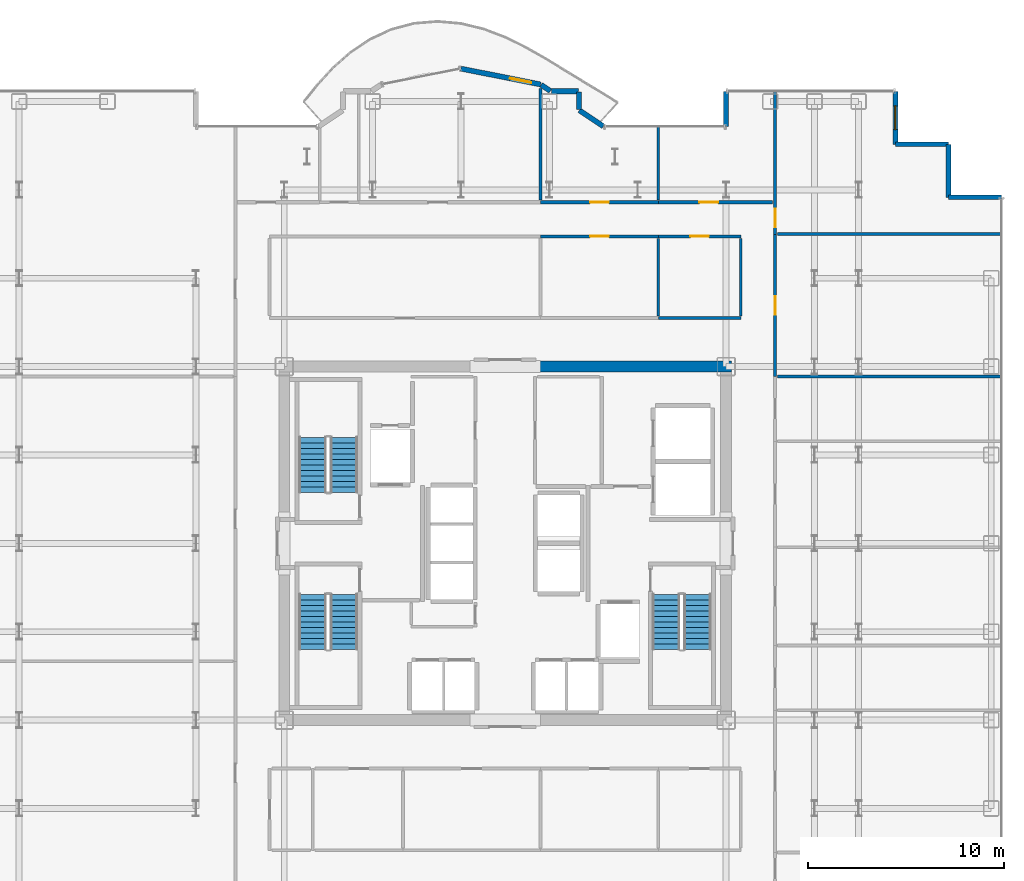
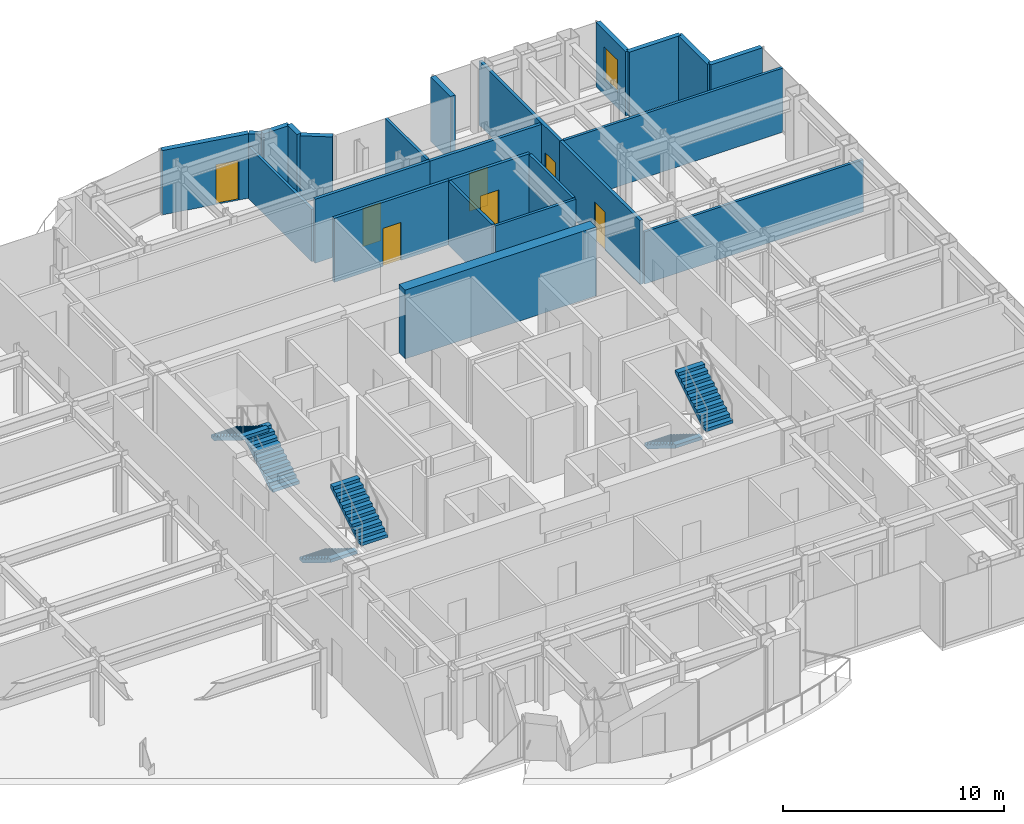
# One storey, part 20 of 22: 24 walls, 7 doors, 6 stair flights, 1 window, 8 openings, 3 elements without a shape of their own.
"""IFC4 building model written with IfcOpenShell, lengths in metres."""

from ifc_helpers import new_model, si_unit, direction, frame, frame_2d, origin, place, context, subcontext, project, spatial, polyline, rectangle, outline, extrude, source, transform, mapped, material, layer, layer_set, type_object, element, fill, aggregate, save


model = new_model("IFC4")

# Units and contexts
model_context = context("Model", 3, precision=1e-05, world=origin(), true_north=direction((0.0, 1.0)))
body_context = subcontext(model_context, "Body", "Model", "MODEL_VIEW")
ifc_project = project(units=[si_unit("LENGTHUNIT", "METRE"), si_unit("AREAUNIT", "SQUARE_METRE"), si_unit("VOLUMEUNIT", "CUBIC_METRE"), si_unit("PLANEANGLEUNIT", "RADIAN"), si_unit("MASSUNIT", "GRAM", prefix="KILO")], contexts=[model_context])

# Site, building, storey
site_placement = place(None, origin())
site = spatial("IfcSite", under=ifc_project, at=site_placement, CompositionType="ELEMENT")
building_placement = place(site_placement, origin())
building = spatial("IfcBuilding", under=site, at=building_placement, Name="Nefas-Gora Pilgrimage Tower", CompositionType="ELEMENT")
storey_placement = place(building_placement, frame((0.0, 0.0, 179.199951171875)))
storey = spatial("IfcBuildingStorey", under=building, at=storey_placement, Name="L44", CompositionType="ELEMENT", Elevation=179.199951171875)

# Walls
ifc_material_1 = material(Name="Concrete C60/75", Category="concrete")
ifc_layer_1 = layer(ifc_material_1, 0.550048828125)
ifc_layer_set_1 = layer_set([ifc_layer_1], Name="Concrete C60/75")
wall_type_1 = type_object("IfcWallType", Name="SW-CORE-550", PredefinedType="SHEAR", material=ifc_layer_set_1)
shared_shape_1 = source(origin(), body_context, "Body", "SweptSolid", [
    extrude(rectangle(XDim=9.974853515625, YDim=0.550048828125, at=frame_2d((4.9873046875, 0.0))), origin(), (0.0, 0.0, 1.0), 3.800048828125),
])
wall_1_placement = place(storey_placement, frame((1.550048828125, 9.0, 0.0), z_axis=(0.0, 0.0, 1.0), x_axis=(1.0, 0.0, 0.0)))
element("IfcWall", 1, at=wall_1_placement, inside=storey, type_object=wall_type_1, Name="L44 Core Shear Wall N-East", PredefinedType="SHEAR", context=body_context, shape_type="MappedRepresentation", body=[
    mapped(shared_shape_1, transform((0.0, 0.0, 0.0), x_axis=(1.0, 0.0, 0.0), y_axis=(0.0, 1.0, 0.0), z_axis=(0.0, 0.0, 1.0), scale=1.0)),
])
ifc_material_2 = material(Name="Precast concrete C40/50", Category="concrete")
ifc_layer_2 = layer(ifc_material_2, 0.260009765625)
ifc_layer_set_2 = layer_set([ifc_layer_2], Name="Precast concrete C40/50")
wall_type_2 = type_object("IfcWallType", Name="EW-PORTAL-260", PredefinedType="SOLIDWALL", material=ifc_layer_set_2)
shared_shape_2 = source(origin(), body_context, "Body", "SweptSolid", [
    extrude(rectangle(XDim=1.800048828125, YDim=0.260009765625, at=frame_2d((0.89990234375, 0.0))), origin(), (0.0, 0.0, 1.0), 3.550048828125),
])
wall_2_placement = place(storey_placement, frame((11.25, 23.02001953125, 0.0), z_axis=(0.0, 0.0, 1.0), x_axis=(0.0, -1.0, 0.0)))
element("IfcWall", 2, at=wall_2_placement, inside=storey, type_object=wall_type_2, Name="L44 Lobe Shoulder Precast Spandrel Pier 10", PredefinedType="SOLIDWALL", context=body_context, shape_type="MappedRepresentation", body=[
    mapped(shared_shape_2, transform((0.0, 0.0, 0.0), x_axis=(1.0, 0.0, 0.0), y_axis=(0.0, 1.0, 0.0), z_axis=(0.0, 0.0, 1.0), scale=1.0)),
])
ifc_material_3 = material(Name="Precast concrete C45/55", Category="concrete")
ifc_layer_3 = layer(ifc_material_3, 0.239990234375)
ifc_layer_set_3 = layer_set([ifc_layer_3], Name="Precast concrete C45/55")
wall_type_3 = type_object("IfcWallType", Name="EW-SERR-240", PredefinedType="SHEAR", material=ifc_layer_set_3)
shared_shape_3 = source(origin(), body_context, "Body", "SweptSolid", [
    extrude(rectangle(XDim=2.699951171875, YDim=0.239990234375, at=frame_2d((1.35009765625, 0.0))), origin(), (0.0, 0.0, 1.0), 3.550048828125),
])
for number, where, z_axis, x_axis, name in (
    (3, (25.27001953125, 17.6201171875, 0.0), (0.0, 0.0, 1.0), (-1.0, 0.0, 0.0), "L44 Serrated Corner Shear Pier Wall 6"),
    (4, (22.570068359375, 17.6201171875, 0.0), (0.0, 0.0, 1.0), (0.0, 1.0, 0.0), "L44 Serrated Corner Shear Pier Wall 7"),
    (5, (22.570068359375, 20.320068359375, 0.0), (0.0, 0.0, 1.0), (-1.0, 0.0, 0.0), "L44 Serrated Corner Shear Pier Wall 8"),
):
    element("IfcWall", number, at=place(storey_placement, frame(where, z_axis=z_axis, x_axis=x_axis)), inside=storey, type_object=wall_type_3, Name=name, PredefinedType="SHEAR", context=body_context, shape_type="MappedRepresentation", body=[
        mapped(shared_shape_3, transform((0.0, 0.0, 0.0), x_axis=(1.0, 0.0, 0.0), y_axis=(0.0, 1.0, 0.0), z_axis=(0.0, 0.0, 1.0), scale=1.0)),
    ])

# Wall, opening, window
wall_3_placement = place(storey_placement, frame((19.8701171875, 20.320068359375, 0.0), z_axis=(0.0, 0.0, 1.0), x_axis=(0.0, 1.0, 0.0)))
wall_3 = element("IfcWall", 6, at=wall_3_placement, inside=storey, type_object=wall_type_3, Name="L44 Serrated Corner Shear Pier Wall 9", PredefinedType="SHEAR", context=body_context, shape_type="MappedRepresentation", body=[
    mapped(shared_shape_3, transform((0.0, 0.0, 0.0), x_axis=(1.0, 0.0, 0.0), y_axis=(0.0, 1.0, 0.0), z_axis=(0.0, 0.0, 1.0), scale=1.0)),
])
opening_1_placement = place(wall_3_placement, frame((0.75, 0.0, 0.85009765625)))
opening_1 = element("IfcOpeningElement", 7, at=opening_1_placement, cuts=wall_3, Name="Opening W-V1", PredefinedType="OPENING", context=body_context, shape_type="SweptSolid", body=[
    extrude(rectangle(XDim=1.199951171875, YDim=1.800048828125, at=frame_2d((0.60009765625, 0.89990234375))), frame((0.0, 0.1298828125, 0.0), z_axis=(0.0, -1.0, 0.0), x_axis=(1.0, 0.0, 0.0)), (0.0, 0.0, 1.0), 0.260009765625),
])
ifc_material_4 = material(Name="Dark ceramic-fritted operable aluminium-glass window", Category="aluminium")
window_type = type_object("IfcWindowType", Name="WIN-VENT-1200x1800", PartitioningType="SINGLE_PANEL", PredefinedType="WINDOW", material=ifc_material_4)
shared_shape_4 = source(origin(), body_context, "Body", "SweptSolid", [
    extrude(rectangle(XDim=1.199951171875, YDim=1.800048828125, at=frame_2d((0.60009765625, 0.89990234375))), frame((0.0, 0.030029296875, 0.0), z_axis=(0.0, -1.0, 0.0), x_axis=(1.0, 0.0, 0.0)), (0.0, 0.0, 1.0), 0.06005859375),
])
window_placement = place(opening_1_placement, origin())
window = element("IfcWindow", 8, at=window_placement, inside=storey, type_object=window_type, Name="L44 Operable Parallel-Outswing Window 9", OverallHeight=1.800048828125, OverallWidth=1.199951171875, PartitioningType="SINGLE_PANEL", PredefinedType="WINDOW", context=body_context, shape_type="MappedRepresentation", body=[
    mapped(shared_shape_4, transform((0.0, 0.0, 0.0), x_axis=(1.0, 0.0, 0.0), y_axis=(0.0, 1.0, 0.0), z_axis=(0.0, 0.0, 1.0), scale=1.0)),
])
fill(opening_1, window)

# Walls
shared_shape_5 = source(origin(), body_context, "Body", "SweptSolid", [
    extrude(rectangle(XDim=1.468994140625, YDim=0.260009765625, at=frame_2d((0.734375, 0.0))), origin(), (0.0, 0.0, 1.0), 3.550048828125),
])
wall_4_placement = place(storey_placement, frame((4.99462890625, 21.235595703125, 0.0), z_axis=(0.0, 0.0, 1.0), x_axis=(-0.831461760506, 0.555581983884, 0.0)))
element("IfcWall", 9, at=wall_4_placement, inside=storey, type_object=wall_type_2, Name="L44 Lobe Shoulder Precast Spandrel Pier 11", PredefinedType="SOLIDWALL", context=body_context, shape_type="MappedRepresentation", body=[
    mapped(shared_shape_5, transform((0.0, 0.0, 0.0), x_axis=(1.0, 0.0, 0.0), y_axis=(0.0, 1.0, 0.0), z_axis=(0.0, 0.0, 1.0), scale=1.0)),
])
shared_shape_6 = source(origin(), body_context, "Body", "SweptSolid", [
    extrude(rectangle(XDim=0.896728515625, YDim=0.260009765625, at=frame_2d((0.4482421875, 0.0))), origin(), (0.0, 0.0, 1.0), 3.550048828125),
])
wall_5_placement = place(storey_placement, frame((3.75, 22.09521484375, 0.0), z_axis=(0.0, 0.0, 1.0), x_axis=(0.0, 1.0, 0.0)))
element("IfcWall", 10, at=wall_5_placement, inside=storey, type_object=wall_type_2, Name="L44 Lobe Shoulder Precast Spandrel Pier 12", PredefinedType="SOLIDWALL", context=body_context, shape_type="MappedRepresentation", body=[
    mapped(shared_shape_6, transform((0.0, 0.0, 0.0), x_axis=(1.0, 0.0, 0.0), y_axis=(0.0, 1.0, 0.0), z_axis=(0.0, 0.0, 1.0), scale=1.0)),
])
shared_shape_7 = source(origin(), body_context, "Body", "SweptSolid", [
    extrude(rectangle(XDim=1.369873046875, YDim=0.260009765625, at=frame_2d((0.68505859375, 0.0))), origin(), (0.0, 0.0, 1.0), 3.550048828125),
])
wall_6_placement = place(storey_placement, frame((3.721923828125, 23.02001953125, 0.0), z_axis=(0.0, 0.0, 1.0), x_axis=(-1.0, 0.0, 0.0)))
element("IfcWall", 11, at=wall_6_placement, inside=storey, type_object=wall_type_2, Name="L44 Lobe Shoulder Precast Spandrel Pier 13", PredefinedType="SOLIDWALL", context=body_context, shape_type="MappedRepresentation", body=[
    mapped(shared_shape_7, transform((0.0, 0.0, 0.0), x_axis=(1.0, 0.0, 0.0), y_axis=(0.0, 1.0, 0.0), z_axis=(0.0, 0.0, 1.0), scale=1.0)),
])
shared_shape_8 = source(origin(), body_context, "Body", "SweptSolid", [
    extrude(rectangle(XDim=0.5654296875, YDim=0.260009765625, at=frame_2d((0.28271484375, 0.0))), origin(), (0.0, 0.0, 1.0), 3.550048828125),
])
wall_7_placement = place(storey_placement, frame((2.30078125, 23.03564453125, 0.0), z_axis=(0.0, 0.0, 1.0), x_axis=(-0.831651492666, 0.555297933317, 0.0)))
element("IfcWall", 12, at=wall_7_placement, inside=storey, type_object=wall_type_2, Name="L44 Lobe Shoulder Precast Spandrel Pier 14", PredefinedType="SOLIDWALL", context=body_context, shape_type="MappedRepresentation", body=[
    mapped(shared_shape_8, transform((0.0, 0.0, 0.0), x_axis=(1.0, 0.0, 0.0), y_axis=(0.0, 1.0, 0.0), z_axis=(0.0, 0.0, 1.0), scale=1.0)),
])

# Wall, opening, door
shared_shape_9 = source(origin(), body_context, "Body", "SweptSolid", [
    extrude(rectangle(XDim=4.136962890625, YDim=0.260009765625, at=frame_2d((2.068359375, 0.0))), origin(), (0.0, 0.0, 1.0), 3.550048828125),
])
wall_8_placement = place(storey_placement, frame((1.807373046875, 23.365234375, 0.0), z_axis=(0.0, 0.0, 1.0), x_axis=(-0.980782170794, 0.195105954428, 0.0)))
wall_8 = element("IfcWall", 13, at=wall_8_placement, inside=storey, type_object=wall_type_2, Name="L44 Insulated Terrace Portal Wall 15", PredefinedType="SOLIDWALL", context=body_context, shape_type="MappedRepresentation", body=[
    mapped(shared_shape_9, transform((0.0, 0.0, 0.0), x_axis=(1.0, 0.0, 0.0), y_axis=(0.0, 1.0, 0.0), z_axis=(0.0, 0.0, 1.0), scale=1.0)),
])
opening_2_placement = place(wall_8_placement, frame((0.48779296875, 0.0, 0.0)))
opening_2 = element("IfcOpeningElement", 14, at=opening_2_placement, cuts=wall_8, Name="Opening ED-B1", PredefinedType="OPENING", context=body_context, shape_type="SweptSolid", body=[
    extrude(rectangle(XDim=1.10009765625, YDim=2.199951171875, at=frame_2d((0.550048828125, 1.10009765625))), frame((0.0, 0.139892578125, 0.0), z_axis=(0.0, -1.0, 0.0), x_axis=(1.0, 0.0, 0.0)), (0.0, 0.0, 1.0), 0.280029296875),
])
ifc_material_5 = material(Name="Thermally broken glazed aluminium balcony door", Category="aluminium")
door_type_1 = type_object("IfcDoorType", Name="DR-EXT-BAL-1100", OperationType="NOTDEFINED", PredefinedType="DOOR", material=ifc_material_5)
shared_shape_10 = source(origin(), body_context, "Body", "SweptSolid", [
    extrude(rectangle(XDim=1.10009765625, YDim=2.199951171875, at=frame_2d((0.550048828125, 1.10009765625))), frame((0.0, 0.02490234375, 0.0), z_axis=(0.0, -1.0, 0.0), x_axis=(1.0, 0.0, 0.0)), (0.0, 0.0, 1.0), 0.050048828125),
])
door_1_placement = place(opening_2_placement, origin())
door_1 = element("IfcDoor", 15, at=door_1_placement, inside=storey, type_object=door_type_1, Name="L44 Exterior Door (L44 N Lobe Wave Balcony)", OperationType="SINGLE_SWING_LEFT", OverallHeight=2.199951171875, OverallWidth=1.10009765625, PredefinedType="DOOR", context=body_context, shape_type="MappedRepresentation", body=[
    mapped(shared_shape_10, transform((0.0, 0.0, 0.0), x_axis=(1.0, 0.0, 0.0), y_axis=(0.0, 1.0, 0.0), z_axis=(0.0, 0.0, 1.0), scale=1.0)),
])
fill(opening_2, door_1)

ifc_material_6 = material(Name="Gypsum acoustic stud partition")
ifc_layer_4 = layer(ifc_material_6, 0.159912109375)
ifc_layer_set_4 = layer_set([ifc_layer_4], Name="Gypsum acoustic stud partition")
wall_type_4 = type_object("IfcWallType", Name="IW-CORR-160", PredefinedType="PARTITIONING", material=ifc_layer_set_4)
shared_shape_11 = source(origin(), body_context, "Body", "SweptSolid", [
    extrude(rectangle(XDim=6.010009765625, YDim=0.159912109375, at=frame_2d((3.0048828125, 0.0))), origin(), (0.0, 0.0, 1.0), 3.53515625),
])
wall_9_placement = place(storey_placement, frame((1.794921875, 17.3701171875, 0.0), z_axis=(0.0, 0.0, 1.0), x_axis=(1.0, 0.0, 0.0)))
wall_9 = element("IfcWall", 16, at=wall_9_placement, inside=storey, type_object=wall_type_4, Name="L44 Pilgrim Contemplative Lounge Partition Wall 55", PredefinedType="PARTITIONING", context=body_context, shape_type="MappedRepresentation", body=[
    mapped(shared_shape_11, transform((0.0, 0.0, 0.0), x_axis=(1.0, 0.0, 0.0), y_axis=(0.0, 1.0, 0.0), z_axis=(0.0, 0.0, 1.0), scale=1.0)),
])
opening_3_placement = place(wall_9_placement, frame((2.530029296875, 0.0, 0.0)))
opening_3 = element("IfcOpeningElement", 17, at=opening_3_placement, cuts=wall_9, Name="Opening ID-GR1", PredefinedType="OPENING", context=body_context, shape_type="SweptSolid", body=[
    extrude(rectangle(XDim=0.949951171875, YDim=2.10009765625, at=frame_2d((0.47509765625, 1.050048828125))), frame((0.0, 0.08984375, 0.0), z_axis=(0.0, -1.0, 0.0), x_axis=(1.0, 0.0, 0.0)), (0.0, 0.0, 1.0), 0.179931640625),
])
ifc_material_7 = material(Name="Solid core oak fire-rated guest entrance door")
door_type_2 = type_object("IfcDoorType", Name="DR-INT-GUEST-950", OperationType="NOTDEFINED", PredefinedType="DOOR", material=ifc_material_7)
shared_shape_12 = source(origin(), body_context, "Body", "SweptSolid", [
    extrude(rectangle(XDim=0.949951171875, YDim=2.10009765625, at=frame_2d((0.47509765625, 1.050048828125))), frame((0.0, 0.02490234375, 0.0), z_axis=(0.0, -1.0, 0.0), x_axis=(1.0, 0.0, 0.0)), (0.0, 0.0, 1.0), 0.050048828125),
])
door_2_placement = place(opening_3_placement, origin())
door_2 = element("IfcDoor", 18, at=door_2_placement, inside=storey, type_object=door_type_2, Name="L44 Pilgrim Contemplative Lounge Door 25", OperationType="SINGLE_SWING_RIGHT", OverallHeight=2.10009765625, OverallWidth=0.949951171875, PredefinedType="DOOR", context=body_context, shape_type="MappedRepresentation", body=[
    mapped(shared_shape_12, transform((0.0, 0.0, 0.0), x_axis=(1.0, 0.0, 0.0), y_axis=(0.0, 1.0, 0.0), z_axis=(0.0, 0.0, 1.0), scale=1.0)),
])
fill(opening_3, door_2)

wall_10_placement = place(storey_placement, frame((1.794921875, 15.6298828125, 0.0), z_axis=(0.0, 0.0, 1.0), x_axis=(1.0, 0.0, 0.0)))
wall_10 = element("IfcWall", 19, at=wall_10_placement, inside=storey, type_object=wall_type_4, Name="L44 Pilgrim Contemplative Lounge Partition Wall 57", PredefinedType="PARTITIONING", context=body_context, shape_type="MappedRepresentation", body=[
    mapped(shared_shape_11, transform((0.0, 0.0, 0.0), x_axis=(1.0, 0.0, 0.0), y_axis=(0.0, 1.0, 0.0), z_axis=(0.0, 0.0, 1.0), scale=1.0)),
])
opening_4_placement = place(wall_10_placement, frame((2.530029296875, 0.0, 0.0)))
opening_4 = element("IfcOpeningElement", 20, at=opening_4_placement, cuts=wall_10, Name="Opening ID-GR1", PredefinedType="OPENING", context=body_context, shape_type="SweptSolid", body=[
    extrude(rectangle(XDim=0.949951171875, YDim=2.10009765625, at=frame_2d((0.47509765625, 1.050048828125))), frame((0.0, 0.08984375, 0.0), z_axis=(0.0, -1.0, 0.0), x_axis=(1.0, 0.0, 0.0)), (0.0, 0.0, 1.0), 0.179931640625),
])
door_3_placement = place(opening_4_placement, origin())
door_3 = element("IfcDoor", 21, at=door_3_placement, inside=storey, type_object=door_type_2, Name="L44 Pilgrim Contemplative Lounge Door 26", OperationType="SINGLE_SWING_LEFT", OverallHeight=2.10009765625, OverallWidth=0.949951171875, PredefinedType="DOOR", context=body_context, shape_type="MappedRepresentation", body=[
    mapped(shared_shape_12, transform((0.0, 0.0, 0.0), x_axis=(1.0, 0.0, 0.0), y_axis=(0.0, 1.0, 0.0), z_axis=(0.0, 0.0, 1.0), scale=1.0)),
])
fill(opening_4, door_3)

shared_shape_13 = source(origin(), body_context, "Body", "SweptSolid", [
    extrude(rectangle(XDim=5.8251953125, YDim=0.159912109375, at=frame_2d((2.91259765625, 0.0))), origin(), (0.0, 0.0, 1.0), 3.53515625),
])
wall_11_placement = place(storey_placement, frame((7.794921875, 17.3701171875, 0.0), z_axis=(0.0, 0.0, 1.0), x_axis=(1.0, 0.0, 0.0)))
wall_11 = element("IfcWall", 22, at=wall_11_placement, inside=storey, type_object=wall_type_4, Name="L44 Pilgrim Contemplative Lounge Partition Wall 60", PredefinedType="PARTITIONING", context=body_context, shape_type="MappedRepresentation", body=[
    mapped(shared_shape_13, transform((0.0, 0.0, 0.0), x_axis=(1.0, 0.0, 0.0), y_axis=(0.0, 1.0, 0.0), z_axis=(0.0, 0.0, 1.0), scale=1.0)),
])
opening_5_placement = place(wall_11_placement, frame((2.09228515625, 0.0, 0.0)))
opening_5 = element("IfcOpeningElement", 23, at=opening_5_placement, cuts=wall_11, Name="Opening ID-GR1", PredefinedType="OPENING", context=body_context, shape_type="SweptSolid", body=[
    extrude(rectangle(XDim=0.949951171875, YDim=2.10009765625, at=frame_2d((0.47509765625, 1.050048828125))), frame((0.0, 0.08984375, 0.0), z_axis=(0.0, -1.0, 0.0), x_axis=(1.0, 0.0, 0.0)), (0.0, 0.0, 1.0), 0.179931640625),
])
door_4_placement = place(opening_5_placement, origin())
door_4 = element("IfcDoor", 24, at=door_4_placement, inside=storey, type_object=door_type_2, Name="L44 Pilgrim Contemplative Lounge Door 27", OperationType="SINGLE_SWING_RIGHT", OverallHeight=2.10009765625, OverallWidth=0.949951171875, PredefinedType="DOOR", context=body_context, shape_type="MappedRepresentation", body=[
    mapped(shared_shape_12, transform((0.0, 0.0, 0.0), x_axis=(1.0, 0.0, 0.0), y_axis=(0.0, 1.0, 0.0), z_axis=(0.0, 0.0, 1.0), scale=1.0)),
])
fill(opening_5, door_4)

# Walls
ifc_material_8 = material(Name="Gypsum twin-stud partition")
ifc_layer_5 = layer(ifc_material_8, 0.139892578125)
ifc_layer_set_5 = layer_set([ifc_layer_5], Name="Gypsum twin-stud partition")
wall_type_5 = type_object("IfcWallType", Name="IW-UNIT-140", PredefinedType="PARTITIONING", material=ifc_layer_set_5)
shared_shape_14 = source(origin(), body_context, "Body", "SweptSolid", [
    extrude(rectangle(XDim=11.429931640625, YDim=0.139892578125, at=frame_2d((5.71484375, 0.0))), origin(), (0.0, 0.0, 1.0), 2.875),
])
wall_12_placement = place(storey_placement, frame((13.860107421875, 8.4951171875, 0.0), z_axis=(0.0, 0.0, 1.0), x_axis=(1.0, 0.0, 0.0)))
element("IfcWall", 25, at=wall_12_placement, inside=storey, type_object=wall_type_5, Name="L44 Scripture Reading Study Partition Wall 44", PredefinedType="PARTITIONING", context=body_context, shape_type="MappedRepresentation", body=[
    mapped(shared_shape_14, transform((0.0, 0.0, 0.0), x_axis=(1.0, 0.0, 0.0), y_axis=(0.0, 1.0, 0.0), z_axis=(0.0, 0.0, 1.0), scale=1.0)),
])
shared_shape_15 = source(origin(), body_context, "Body", "SweptSolid", [
    extrude(rectangle(XDim=11.429931640625, YDim=0.139892578125, at=frame_2d((5.71484375, 0.0))), origin(), (0.0, 0.0, 1.0), 3.53515625),
])
wall_13_placement = place(storey_placement, frame((13.860107421875, 15.74755859375, 0.0), z_axis=(0.0, 0.0, 1.0), x_axis=(1.0, 0.0, 0.0)))
element("IfcWall", 26, at=wall_13_placement, inside=storey, type_object=wall_type_5, Name="L44 Pilgrim Contemplative Lounge Partition Wall 46", PredefinedType="PARTITIONING", context=body_context, shape_type="MappedRepresentation", body=[
    mapped(shared_shape_15, transform((0.0, 0.0, 0.0), x_axis=(1.0, 0.0, 0.0), y_axis=(0.0, 1.0, 0.0), z_axis=(0.0, 0.0, 1.0), scale=1.0)),
])

# Wall, opening, door
shared_shape_16 = source(origin(), body_context, "Body", "SweptSolid", [
    extrude(rectangle(XDim=7.302490234375, YDim=0.159912109375, at=frame_2d((3.6513671875, 0.0))), origin(), (0.0, 0.0, 1.0), 3.53515625),
])
wall_14_placement = place(storey_placement, frame((13.739990234375, 15.737548828125, 0.0), z_axis=(0.0, 0.0, 1.0), x_axis=(0.0, 1.0, 0.0)))
wall_14 = element("IfcWall", 27, at=wall_14_placement, inside=storey, type_object=wall_type_4, Name="L44 Pilgrim Contemplative Lounge Partition Wall 45", PredefinedType="PARTITIONING", context=body_context, shape_type="MappedRepresentation", body=[
    mapped(shared_shape_16, transform((0.0, 0.0, 0.0), x_axis=(1.0, 0.0, 0.0), y_axis=(0.0, 1.0, 0.0), z_axis=(0.0, 0.0, 1.0), scale=1.0)),
])
opening_6_placement = place(wall_14_placement, frame((0.361328125, 0.0, 0.0)))
opening_6 = element("IfcOpeningElement", 28, at=opening_6_placement, cuts=wall_14, Name="Opening ID-GR1", PredefinedType="OPENING", context=body_context, shape_type="SweptSolid", body=[
    extrude(rectangle(XDim=0.949951171875, YDim=2.10009765625, at=frame_2d((0.47509765625, 1.050048828125))), frame((0.0, 0.08984375, 0.0), z_axis=(0.0, -1.0, 0.0), x_axis=(1.0, 0.0, 0.0)), (0.0, 0.0, 1.0), 0.179931640625),
])
door_5_placement = place(opening_6_placement, origin())
door_5 = element("IfcDoor", 29, at=door_5_placement, inside=storey, type_object=door_type_2, Name="L44 Pilgrim Contemplative Lounge Door 20", OperationType="SINGLE_SWING_LEFT", OverallHeight=2.10009765625, OverallWidth=0.949951171875, PredefinedType="DOOR", context=body_context, shape_type="MappedRepresentation", body=[
    mapped(shared_shape_12, transform((0.0, 0.0, 0.0), x_axis=(1.0, 0.0, 0.0), y_axis=(0.0, 1.0, 0.0), z_axis=(0.0, 0.0, 1.0), scale=1.0)),
])
fill(opening_6, door_5)

shared_shape_17 = source(origin(), body_context, "Body", "SweptSolid", [
    extrude(rectangle(XDim=7.242431640625, YDim=0.159912109375, at=frame_2d((3.62109375, 0.0))), origin(), (0.0, 0.0, 1.0), 3.53515625),
])
wall_15_placement = place(storey_placement, frame((13.739990234375, 8.4951171875, 0.0), z_axis=(0.0, 0.0, 1.0), x_axis=(0.0, 1.0, 0.0)))
wall_15 = element("IfcWall", 30, at=wall_15_placement, inside=storey, type_object=wall_type_4, Name="L44 Pilgrim Contemplative Lounge Partition Wall 47", PredefinedType="PARTITIONING", context=body_context, shape_type="MappedRepresentation", body=[
    mapped(shared_shape_17, transform((0.0, 0.0, 0.0), x_axis=(1.0, 0.0, 0.0), y_axis=(0.0, 1.0, 0.0), z_axis=(0.0, 0.0, 1.0), scale=1.0)),
])
opening_7_placement = place(wall_15_placement, frame((3.146240234375, 0.0, 0.0)))
opening_7 = element("IfcOpeningElement", 31, at=opening_7_placement, cuts=wall_15, Name="Opening ID-GR1", PredefinedType="OPENING", context=body_context, shape_type="SweptSolid", body=[
    extrude(rectangle(XDim=0.949951171875, YDim=2.10009765625, at=frame_2d((0.47509765625, 1.050048828125))), frame((0.0, 0.08984375, 0.0), z_axis=(0.0, -1.0, 0.0), x_axis=(1.0, 0.0, 0.0)), (0.0, 0.0, 1.0), 0.179931640625),
])
door_6_placement = place(opening_7_placement, origin())
door_6 = element("IfcDoor", 32, at=door_6_placement, inside=storey, type_object=door_type_2, Name="L44 Pilgrim Contemplative Lounge Door 21", OperationType="SINGLE_SWING_RIGHT", OverallHeight=2.10009765625, OverallWidth=0.949951171875, PredefinedType="DOOR", context=body_context, shape_type="MappedRepresentation", body=[
    mapped(shared_shape_12, transform((0.0, 0.0, 0.0), x_axis=(1.0, 0.0, 0.0), y_axis=(0.0, 1.0, 0.0), z_axis=(0.0, 0.0, 1.0), scale=1.0)),
])
fill(opening_7, door_6)

# Walls
shared_shape_18 = source(origin(), body_context, "Body", "SweptSolid", [
    extrude(rectangle(XDim=3.929931640625, YDim=0.139892578125, at=frame_2d((1.96484375, 0.0))), origin(), (0.0, 0.0, 1.0), 3.53515625),
])
for number, where, z_axis, x_axis, name in (
    (33, (7.794921875, 11.580078125, 0.0), (0.0, 0.0, 1.0), (0.0, 1.0, 0.0), "L44 Pilgrim Contemplative Lounge Partition Wall 59"),
    (34, (12.0, 11.580078125, 0.0), (0.0, 0.0, 1.0), (0.0, 1.0, 0.0), "L44 Pilgrim Contemplative Lounge Partition Wall 63"),
):
    element("IfcWall", number, at=place(storey_placement, frame(where, z_axis=z_axis, x_axis=x_axis)), inside=storey, type_object=wall_type_5, Name=name, PredefinedType="PARTITIONING", context=body_context, shape_type="MappedRepresentation", body=[
        mapped(shared_shape_18, transform((0.0, 0.0, 0.0), x_axis=(1.0, 0.0, 0.0), y_axis=(0.0, 1.0, 0.0), z_axis=(0.0, 0.0, 1.0), scale=1.0)),
    ])
shared_shape_19 = source(origin(), body_context, "Body", "SweptSolid", [
    extrude(rectangle(XDim=3.75, YDim=0.139892578125, at=frame_2d((1.875, 0.0))), origin(), (0.0, 0.0, 1.0), 3.53515625),
])
wall_16_placement = place(storey_placement, frame((7.794921875, 17.489990234375, 0.0), z_axis=(0.0, 0.0, 1.0), x_axis=(0.0, 1.0, 0.0)))
element("IfcWall", 35, at=wall_16_placement, inside=storey, type_object=wall_type_5, Name="L44 Pilgrim Contemplative Lounge Partition Wall 56", PredefinedType="PARTITIONING", context=body_context, shape_type="MappedRepresentation", body=[
    mapped(shared_shape_19, transform((0.0, 0.0, 0.0), x_axis=(1.0, 0.0, 0.0), y_axis=(0.0, 1.0, 0.0), z_axis=(0.0, 0.0, 1.0), scale=1.0)),
])
shared_shape_20 = source(origin(), body_context, "Body", "SweptSolid", [
    extrude(rectangle(XDim=5.681396484375, YDim=0.139892578125, at=frame_2d((2.8408203125, 0.0))), origin(), (0.0, 0.0, 1.0), 2.875),
])
wall_17_placement = place(storey_placement, frame((1.794921875, 17.489990234375, 0.0), z_axis=(0.0, 0.0, 1.0), x_axis=(0.0, 1.0, 0.0)))
element("IfcWall", 36, at=wall_17_placement, inside=storey, type_object=wall_type_5, Name="L44 Pilgrim Contemplative Lounge Partition Wall 53", PredefinedType="PARTITIONING", context=body_context, shape_type="MappedRepresentation", body=[
    mapped(shared_shape_20, transform((0.0, 0.0, 0.0), x_axis=(1.0, 0.0, 0.0), y_axis=(0.0, 1.0, 0.0), z_axis=(0.0, 0.0, 1.0), scale=1.0)),
])

# Wall, opening, door
shared_shape_21 = source(origin(), body_context, "Body", "SweptSolid", [
    extrude(rectangle(XDim=4.215087890625, YDim=0.159912109375, at=frame_2d((2.107421875, 0.0))), origin(), (0.0, 0.0, 1.0), 3.53515625),
])
wall_18_placement = place(storey_placement, frame((7.794921875, 15.6298828125, 0.0), z_axis=(0.0, 0.0, 1.0), x_axis=(1.0, 0.0, 0.0)))
wall_18 = element("IfcWall", 37, at=wall_18_placement, inside=storey, type_object=wall_type_4, Name="L44 Pilgrim Contemplative Lounge Partition Wall 61", PredefinedType="PARTITIONING", context=body_context, shape_type="MappedRepresentation", body=[
    mapped(shared_shape_21, transform((0.0, 0.0, 0.0), x_axis=(1.0, 0.0, 0.0), y_axis=(0.0, 1.0, 0.0), z_axis=(0.0, 0.0, 1.0), scale=1.0)),
])
opening_8_placement = place(wall_18_placement, frame((1.632568359375, 0.0, 0.0)))
opening_8 = element("IfcOpeningElement", 38, at=opening_8_placement, cuts=wall_18, Name="Opening ID-GR1", PredefinedType="OPENING", context=body_context, shape_type="SweptSolid", body=[
    extrude(rectangle(XDim=0.949951171875, YDim=2.10009765625, at=frame_2d((0.47509765625, 1.050048828125))), frame((0.0, 0.08984375, 0.0), z_axis=(0.0, -1.0, 0.0), x_axis=(1.0, 0.0, 0.0)), (0.0, 0.0, 1.0), 0.179931640625),
])
door_7_placement = place(opening_8_placement, origin())
door_7 = element("IfcDoor", 39, at=door_7_placement, inside=storey, type_object=door_type_2, Name="L44 Pilgrim Contemplative Lounge Door 28", OperationType="SINGLE_SWING_LEFT", OverallHeight=2.10009765625, OverallWidth=0.949951171875, PredefinedType="DOOR", context=body_context, shape_type="MappedRepresentation", body=[
    mapped(shared_shape_12, transform((0.0, 0.0, 0.0), x_axis=(1.0, 0.0, 0.0), y_axis=(0.0, 1.0, 0.0), z_axis=(0.0, 0.0, 1.0), scale=1.0)),
])
fill(opening_8, door_7)

# Wall
shared_shape_22 = source(origin(), body_context, "Body", "SweptSolid", [
    extrude(rectangle(XDim=4.215087890625, YDim=0.139892578125, at=frame_2d((2.107421875, 0.0))), origin(), (0.0, 0.0, 1.0), 3.53515625),
])
wall_19_placement = place(storey_placement, frame((7.794921875, 11.469970703125, 0.0), z_axis=(0.0, 0.0, 1.0), x_axis=(1.0, 0.0, 0.0)))
element("IfcWall", 40, at=wall_19_placement, inside=storey, type_object=wall_type_5, Name="L44 Pilgrim Contemplative Lounge Partition Wall 62", PredefinedType="PARTITIONING", context=body_context, shape_type="MappedRepresentation", body=[
    mapped(shared_shape_22, transform((0.0, 0.0, 0.0), x_axis=(1.0, 0.0, 0.0), y_axis=(0.0, 1.0, 0.0), z_axis=(0.0, 0.0, 1.0), scale=1.0)),
])

# Stair, stair flights
ifc_material_9 = material(Name="Concrete C45/55", Category="concrete")
stair_type = type_object("IfcStairType", Name="STR-1400-R1727", PredefinedType="HALF_TURN_STAIR", material=ifc_material_9)
stair_1_placement = place(storey_placement, origin())
stair_1 = element("IfcStair", 41, at=stair_1_placement, inside=storey, type_object=stair_type, Name="L44 Pressurised Tower Exit Stair ST-01", PredefinedType="HALF_TURN_STAIR")
stair_flight_type = type_object("IfcStairFlightType", Name="STF-1400-R1727", PredefinedType="STRAIGHT", material=ifc_material_9)
shared_shape_23 = source(origin(), body_context, "Body", "SweptSolid", [
    extrude(outline(polyline([(0.0, 0.0), (0.0, 0.172607421875), (0.280029296875, 0.172607421875), (0.280029296875, 0.345458984375), (0.56005859375, 0.345458984375), (0.56005859375, 0.51806640625), (0.840087890625, 0.51806640625), (0.840087890625, 0.69091796875), (1.1201171875, 0.69091796875), (1.1201171875, 0.863525390625), (1.39990234375, 0.863525390625), (1.39990234375, 1.036376953125), (1.679931640625, 1.036376953125), (1.679931640625, 1.208984375), (1.9599609375, 1.208984375), (1.9599609375, 1.3818359375), (2.239990234375, 1.3818359375), (2.239990234375, 1.554443359375), (2.52001953125, 1.554443359375), (2.52001953125, 1.727294921875), (2.800048828125, 1.727294921875), (2.800048828125, 1.89990234375), (2.800048828125, 1.551025390625), (0.285400390625, 0.0), (0.0, 0.0)])), frame((0.0, 0.699951171875, 0.0), z_axis=(0.0, -1.0, 0.0), x_axis=(1.0, 0.0, 0.0)), (0.0, 0.0, 1.0), 1.39990234375),
])
stair_flight_1_placement = place(storey_placement, frame((-8.199951171875, 2.60009765625, 0.0), z_axis=(0.0, 0.0, 1.0), x_axis=(0.0, 1.0, 0.0)))
stair_flight_1 = element("IfcStairFlight", 42, at=stair_flight_1_placement, type_object=stair_flight_type, Name="ST-01 flight 1", NumberOfRisers=11, NumberOfTreads=10, PredefinedType="STRAIGHT", RiserHeight=0.172727273, TreadLength=0.28, context=body_context, shape_type="MappedRepresentation", body=[
    mapped(shared_shape_23, transform((0.0, 0.0, 0.0), x_axis=(1.0, 0.0, 0.0), y_axis=(0.0, 1.0, 0.0), z_axis=(0.0, 0.0, 1.0), scale=1.0)),
])
stair_flight_2_placement = place(storey_placement, frame((-9.800048828125, 5.39990234375, 1.900146484375), z_axis=(0.0, 0.0, 1.0), x_axis=(0.0, -1.0, 0.0)))
stair_flight_2 = element("IfcStairFlight", 43, at=stair_flight_2_placement, type_object=stair_flight_type, Name="ST-01 flight 2", NumberOfRisers=11, NumberOfTreads=10, PredefinedType="STRAIGHT", RiserHeight=0.172727273, TreadLength=0.28, context=body_context, shape_type="MappedRepresentation", body=[
    mapped(shared_shape_23, transform((0.0, 0.0, 0.0), x_axis=(1.0, 0.0, 0.0), y_axis=(0.0, 1.0, 0.0), z_axis=(0.0, 0.0, 1.0), scale=1.0)),
])
aggregate(stair_1, [stair_flight_1, stair_flight_2])

stair_2_placement = place(storey_placement, origin())
stair_2 = element("IfcStair", 44, at=stair_2_placement, inside=storey, type_object=stair_type, Name="L44 Pressurised Tower Exit Stair ST-02", PredefinedType="HALF_TURN_STAIR")
stair_flight_3_placement = place(storey_placement, frame((8.199951171875, -2.60009765625, 0.0), z_axis=(0.0, 0.0, 1.0), x_axis=(0.0, -1.0, 0.0)))
stair_flight_3 = element("IfcStairFlight", 45, at=stair_flight_3_placement, type_object=stair_flight_type, Name="ST-02 flight 1", NumberOfRisers=11, NumberOfTreads=10, PredefinedType="STRAIGHT", RiserHeight=0.172727273, TreadLength=0.28, context=body_context, shape_type="MappedRepresentation", body=[
    mapped(shared_shape_23, transform((0.0, 0.0, 0.0), x_axis=(1.0, 0.0, 0.0), y_axis=(0.0, 1.0, 0.0), z_axis=(0.0, 0.0, 1.0), scale=1.0)),
])
stair_flight_4_placement = place(storey_placement, frame((9.800048828125, -5.39990234375, 1.900146484375), z_axis=(0.0, 0.0, 1.0), x_axis=(0.0, 1.0, 0.0)))
stair_flight_4 = element("IfcStairFlight", 46, at=stair_flight_4_placement, type_object=stair_flight_type, Name="ST-02 flight 2", NumberOfRisers=11, NumberOfTreads=10, PredefinedType="STRAIGHT", RiserHeight=0.172727273, TreadLength=0.28, context=body_context, shape_type="MappedRepresentation", body=[
    mapped(shared_shape_23, transform((0.0, 0.0, 0.0), x_axis=(1.0, 0.0, 0.0), y_axis=(0.0, 1.0, 0.0), z_axis=(0.0, 0.0, 1.0), scale=1.0)),
])
aggregate(stair_2, [stair_flight_3, stair_flight_4])

stair_3_placement = place(storey_placement, origin())
stair_3 = element("IfcStair", 47, at=stair_3_placement, inside=storey, type_object=stair_type, Name="L44 Pressurised Tower Exit Stair ST-03", PredefinedType="HALF_TURN_STAIR")
stair_flight_5_placement = place(storey_placement, frame((-9.800048828125, -2.60009765625, 0.0), z_axis=(0.0, 0.0, 1.0), x_axis=(0.0, -1.0, 0.0)))
stair_flight_5 = element("IfcStairFlight", 48, at=stair_flight_5_placement, type_object=stair_flight_type, Name="ST-03 flight 1", NumberOfRisers=11, NumberOfTreads=10, PredefinedType="STRAIGHT", RiserHeight=0.172727273, TreadLength=0.28, context=body_context, shape_type="MappedRepresentation", body=[
    mapped(shared_shape_23, transform((0.0, 0.0, 0.0), x_axis=(1.0, 0.0, 0.0), y_axis=(0.0, 1.0, 0.0), z_axis=(0.0, 0.0, 1.0), scale=1.0)),
])
stair_flight_6_placement = place(storey_placement, frame((-8.199951171875, -5.39990234375, 1.900146484375), z_axis=(0.0, 0.0, 1.0), x_axis=(0.0, 1.0, 0.0)))
stair_flight_6 = element("IfcStairFlight", 49, at=stair_flight_6_placement, type_object=stair_flight_type, Name="ST-03 flight 2", NumberOfRisers=11, NumberOfTreads=10, PredefinedType="STRAIGHT", RiserHeight=0.172727273, TreadLength=0.28, context=body_context, shape_type="MappedRepresentation", body=[
    mapped(shared_shape_23, transform((0.0, 0.0, 0.0), x_axis=(1.0, 0.0, 0.0), y_axis=(0.0, 1.0, 0.0), z_axis=(0.0, 0.0, 1.0), scale=1.0)),
])
aggregate(stair_3, [stair_flight_5, stair_flight_6])

save(model, "model.ifc")
